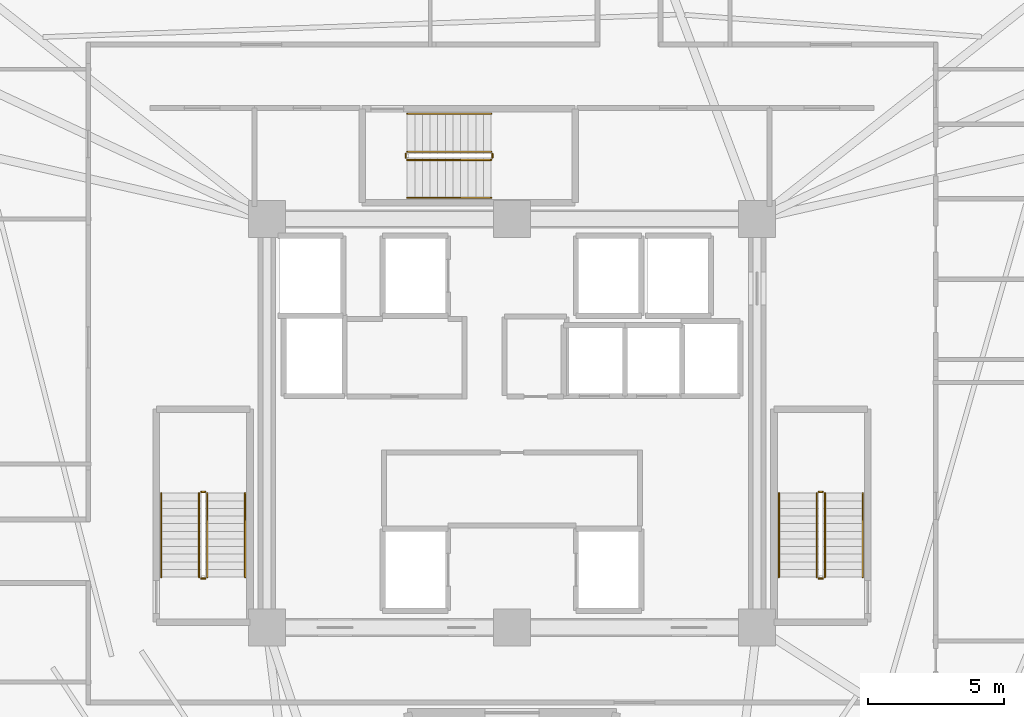
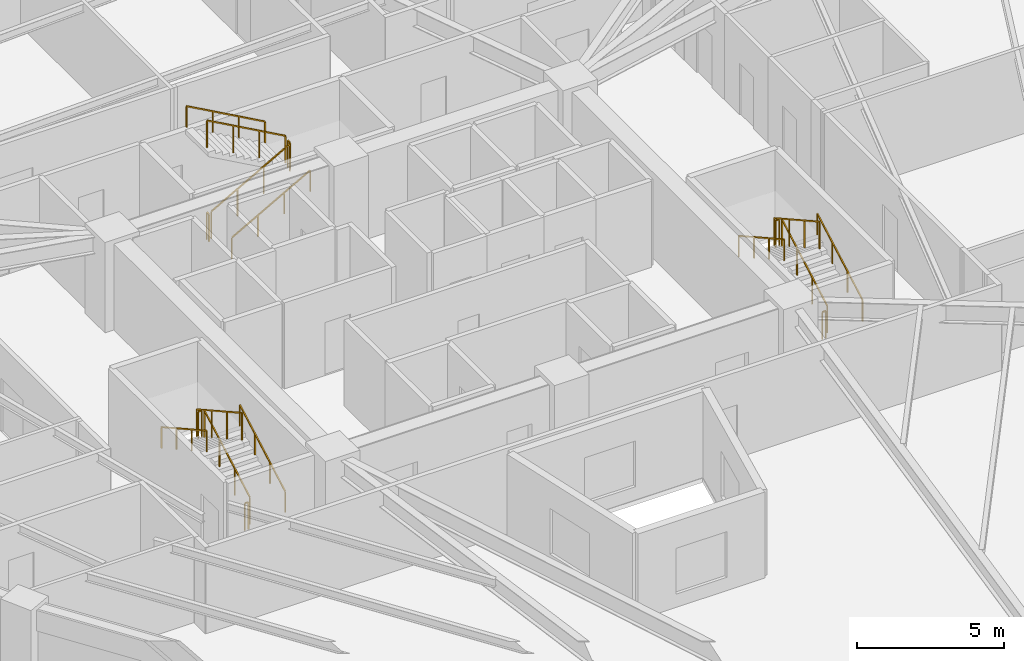
# One storey, part 8 of 8: 18 railings.
"""IFC4 building model written with IfcOpenShell, lengths in metres."""

from ifc_helpers import new_model, si_unit, direction, frame, origin, origin_2d, place, context, subcontext, project, spatial, rectangle, extrude, material, type_object, element, save


model = new_model("IFC4")

# Units and contexts
model_context = context("Model", 3, precision=1e-05, world=origin(), true_north=direction((0.0, 1.0)))
body_context = subcontext(model_context, "Body", "Model", "MODEL_VIEW")
ifc_project = project(units=[si_unit("LENGTHUNIT", "METRE"), si_unit("AREAUNIT", "SQUARE_METRE"), si_unit("VOLUMEUNIT", "CUBIC_METRE"), si_unit("PLANEANGLEUNIT", "RADIAN"), si_unit("MASSUNIT", "GRAM", prefix="KILO")], contexts=[model_context])

# Site, building, storey
site_placement = place(None, origin())
site = spatial("IfcSite", under=ifc_project, at=site_placement, CompositionType="ELEMENT")
building_placement = place(site_placement, origin())
building = spatial("IfcBuilding", under=site, at=building_placement, Name="Liaohun Quay Tower", CompositionType="ELEMENT")
storey_placement = place(building_placement, frame((0.0, 0.0, 201.75)))
storey = spatial("IfcBuildingStorey", under=building, at=storey_placement, Name="L52", CompositionType="ELEMENT", Elevation=201.75)

# Railings
ifc_material_1 = material(Name="Painted tubular steel", Category="steel")
railing_type_1 = type_object("IfcRailingType", Name="RLG-GUARD-STR", PredefinedType="GUARDRAIL", material=ifc_material_1)
railing_1_placement = place(storey_placement, frame((48.81005859375, 48.35009765625, 0.15625)))
element("IfcRailing", 1, at=railing_1_placement, inside=storey, type_object=railing_type_1, Name="L52 ST-1 stair guard 1", PredefinedType="GUARDRAIL", context=body_context, shape_type="SweptSolid", body=[
    extrude(rectangle(XDim=0.048095703125, YDim=0.048095703125, at=origin_2d()), frame((0.0, 0.0, 1.1259765625), z_axis=(0.0, 0.873225103656, 0.487317061414), x_axis=(-1.0, 0.0, 0.0)), (0.0, 0.0, 1.0), 3.52685546875),
    extrude(rectangle(XDim=0.0419921875, YDim=0.0419921875, at=origin_2d()), origin(), (0.0, 0.0, 1.0), 1.101806640625),
    extrude(rectangle(XDim=0.0419921875, YDim=0.0419921875, at=origin_2d()), frame((0.0, 1.026611328125, 0.572998046875)), (0.0, 0.0, 1.0), 1.101806640625),
    extrude(rectangle(XDim=0.0419921875, YDim=0.0419921875, at=origin_2d()), frame((0.0, 2.05322265625, 1.145751953125)), (0.0, 0.0, 1.0), 1.101806640625),
    extrude(rectangle(XDim=0.0419921875, YDim=0.0419921875, at=origin_2d()), frame((0.0, 3.079833984375, 1.71875)), (0.0, 0.0, 1.0), 1.101806640625),
])
railing_2_placement = place(storey_placement, frame((48.72998046875, 51.47998046875, 1.875)))
element("IfcRailing", 2, at=railing_2_placement, inside=storey, type_object=railing_type_1, Name="L52 ST-1 stair guard 2", PredefinedType="GUARDRAIL", context=body_context, shape_type="SweptSolid", body=[
    extrude(rectangle(XDim=0.048095703125, YDim=0.048095703125, at=origin_2d()), frame((0.0, 0.0, 1.1259765625), z_axis=(-1.0, 0.0, 0.0), x_axis=(0.0, -1.0, 0.0)), (0.0, 0.0, 1.0), 0.139892578125),
    extrude(rectangle(XDim=0.0419921875, YDim=0.0419921875, at=origin_2d()), origin(), (0.0, 0.0, 1.0), 1.101806640625),
    extrude(rectangle(XDim=0.0419921875, YDim=0.0419921875, at=origin_2d()), frame((-0.139892578125, 0.0, 0.0)), (0.0, 0.0, 1.0), 1.101806640625),
])
railing_3_placement = place(storey_placement, frame((48.510009765625, 51.429931640625, 2.03125)))
element("IfcRailing", 3, at=railing_3_placement, inside=storey, type_object=railing_type_1, Name="L52 ST-1 stair guard 3", PredefinedType="GUARDRAIL", context=body_context, shape_type="SweptSolid", body=[
    extrude(rectangle(XDim=0.048095703125, YDim=0.048095703125, at=origin_2d()), frame((0.0, 0.0, 1.1259765625), z_axis=(0.0, -0.873225103656, 0.487317061414), x_axis=(1.0, 0.0, 0.0)), (0.0, 0.0, 1.0), 3.52685546875),
    extrude(rectangle(XDim=0.0419921875, YDim=0.0419921875, at=origin_2d()), origin(), (0.0, 0.0, 1.0), 1.101806640625),
    extrude(rectangle(XDim=0.0419921875, YDim=0.0419921875, at=origin_2d()), frame((0.0, -1.026611328125, 0.572998046875)), (0.0, 0.0, 1.0), 1.101806640625),
    extrude(rectangle(XDim=0.0419921875, YDim=0.0419921875, at=origin_2d()), frame((0.0, -2.05322265625, 1.145751953125)), (0.0, 0.0, 1.0), 1.101806640625),
    extrude(rectangle(XDim=0.0419921875, YDim=0.0419921875, at=origin_2d()), frame((0.0, -3.079833984375, 1.71875)), (0.0, 0.0, 1.0), 1.101806640625),
])
railing_4_placement = place(storey_placement, frame((48.72998046875, 48.300048828125, 0.0)))
element("IfcRailing", 4, at=railing_4_placement, inside=storey, type_object=railing_type_1, Name="L52 ST-1 stair guard 4", PredefinedType="GUARDRAIL", context=body_context, shape_type="SweptSolid", body=[
    extrude(rectangle(XDim=0.048095703125, YDim=0.048095703125, at=origin_2d()), frame((0.0, 0.0, 1.1259765625), z_axis=(-1.0, 0.0, 0.0), x_axis=(0.0, -1.0, 0.0)), (0.0, 0.0, 1.0), 0.139892578125),
    extrude(rectangle(XDim=0.0419921875, YDim=0.0419921875, at=origin_2d()), origin(), (0.0, 0.0, 1.0), 1.101806640625),
    extrude(rectangle(XDim=0.0419921875, YDim=0.0419921875, at=origin_2d()), frame((-0.139892578125, 0.0, 0.0)), (0.0, 0.0, 1.0), 1.101806640625),
])
railing_5_placement = place(storey_placement, frame((71.489990234375, 48.35009765625, 0.15625)))
element("IfcRailing", 5, at=railing_5_placement, inside=storey, type_object=railing_type_1, Name="L52 ST-2 stair guard 1", PredefinedType="GUARDRAIL", context=body_context, shape_type="SweptSolid", body=[
    extrude(rectangle(XDim=0.048095703125, YDim=0.048095703125, at=origin_2d()), frame((0.0, 0.0, 1.1259765625), z_axis=(0.0, 0.873225103656, 0.487317061414), x_axis=(-1.0, 0.0, 0.0)), (0.0, 0.0, 1.0), 3.52685546875),
    extrude(rectangle(XDim=0.0419921875, YDim=0.0419921875, at=origin_2d()), origin(), (0.0, 0.0, 1.0), 1.101806640625),
    extrude(rectangle(XDim=0.0419921875, YDim=0.0419921875, at=origin_2d()), frame((0.0, 1.026611328125, 0.572998046875)), (0.0, 0.0, 1.0), 1.101806640625),
    extrude(rectangle(XDim=0.0419921875, YDim=0.0419921875, at=origin_2d()), frame((0.0, 2.05322265625, 1.145751953125)), (0.0, 0.0, 1.0), 1.101806640625),
    extrude(rectangle(XDim=0.0419921875, YDim=0.0419921875, at=origin_2d()), frame((0.0, 3.079833984375, 1.71875)), (0.0, 0.0, 1.0), 1.101806640625),
])
railing_6_placement = place(storey_placement, frame((71.409912109375, 51.47998046875, 1.875)))
element("IfcRailing", 6, at=railing_6_placement, inside=storey, type_object=railing_type_1, Name="L52 ST-2 stair guard 2", PredefinedType="GUARDRAIL", context=body_context, shape_type="SweptSolid", body=[
    extrude(rectangle(XDim=0.048095703125, YDim=0.048095703125, at=origin_2d()), frame((0.0, 0.0, 1.1259765625), z_axis=(-1.0, 0.0, 0.0), x_axis=(0.0, -1.0, 0.0)), (0.0, 0.0, 1.0), 0.139892578125),
    extrude(rectangle(XDim=0.0419921875, YDim=0.0419921875, at=origin_2d()), origin(), (0.0, 0.0, 1.0), 1.101806640625),
    extrude(rectangle(XDim=0.0419921875, YDim=0.0419921875, at=origin_2d()), frame((-0.139892578125, 0.0, 0.0)), (0.0, 0.0, 1.0), 1.101806640625),
])
railing_7_placement = place(storey_placement, frame((71.18994140625, 51.429931640625, 2.03125)))
element("IfcRailing", 7, at=railing_7_placement, inside=storey, type_object=railing_type_1, Name="L52 ST-2 stair guard 3", PredefinedType="GUARDRAIL", context=body_context, shape_type="SweptSolid", body=[
    extrude(rectangle(XDim=0.048095703125, YDim=0.048095703125, at=origin_2d()), frame((0.0, 0.0, 1.1259765625), z_axis=(0.0, -0.873225103656, 0.487317061414), x_axis=(1.0, 0.0, 0.0)), (0.0, 0.0, 1.0), 3.52685546875),
    extrude(rectangle(XDim=0.0419921875, YDim=0.0419921875, at=origin_2d()), origin(), (0.0, 0.0, 1.0), 1.101806640625),
    extrude(rectangle(XDim=0.0419921875, YDim=0.0419921875, at=origin_2d()), frame((0.0, -1.026611328125, 0.572998046875)), (0.0, 0.0, 1.0), 1.101806640625),
    extrude(rectangle(XDim=0.0419921875, YDim=0.0419921875, at=origin_2d()), frame((0.0, -2.05322265625, 1.145751953125)), (0.0, 0.0, 1.0), 1.101806640625),
    extrude(rectangle(XDim=0.0419921875, YDim=0.0419921875, at=origin_2d()), frame((0.0, -3.079833984375, 1.71875)), (0.0, 0.0, 1.0), 1.101806640625),
])
railing_8_placement = place(storey_placement, frame((71.409912109375, 48.300048828125, 0.0)))
element("IfcRailing", 8, at=railing_8_placement, inside=storey, type_object=railing_type_1, Name="L52 ST-2 stair guard 4", PredefinedType="GUARDRAIL", context=body_context, shape_type="SweptSolid", body=[
    extrude(rectangle(XDim=0.048095703125, YDim=0.048095703125, at=origin_2d()), frame((0.0, 0.0, 1.1259765625), z_axis=(-1.0, 0.0, 0.0), x_axis=(0.0, -1.0, 0.0)), (0.0, 0.0, 1.0), 0.139892578125),
    extrude(rectangle(XDim=0.0419921875, YDim=0.0419921875, at=origin_2d()), origin(), (0.0, 0.0, 1.0), 1.101806640625),
    extrude(rectangle(XDim=0.0419921875, YDim=0.0419921875, at=origin_2d()), frame((-0.139892578125, 0.0, 0.0)), (0.0, 0.0, 1.0), 1.101806640625),
])
railing_9_placement = place(storey_placement, frame((56.14990234375, 63.669921875, 0.15625)))
element("IfcRailing", 9, at=railing_9_placement, inside=storey, type_object=railing_type_1, Name="L52 ST-3 stair guard 1", PredefinedType="GUARDRAIL", context=body_context, shape_type="SweptSolid", body=[
    extrude(rectangle(XDim=0.048095703125, YDim=0.048095703125, at=origin_2d()), frame((0.0, 0.0, 1.1259765625), z_axis=(0.873241540666, 0.0, 0.487287606713), x_axis=(0.0, 1.0, 0.0)), (0.0, 0.0, 1.0), 3.527099609375),
    extrude(rectangle(XDim=0.0419921875, YDim=0.0419921875, at=origin_2d()), origin(), (0.0, 0.0, 1.0), 1.101806640625),
    extrude(rectangle(XDim=0.0419921875, YDim=0.0419921875, at=origin_2d()), frame((1.026611328125, 0.0, 0.572998046875)), (0.0, 0.0, 1.0), 1.101806640625),
    extrude(rectangle(XDim=0.0419921875, YDim=0.0419921875, at=origin_2d()), frame((2.053466796875, 0.0, 1.145751953125)), (0.0, 0.0, 1.0), 1.101806640625),
    extrude(rectangle(XDim=0.0419921875, YDim=0.0419921875, at=origin_2d()), frame((3.080078125, 0.0, 1.71875)), (0.0, 0.0, 1.0), 1.101806640625),
])
railing_10_placement = place(storey_placement, frame((59.280029296875, 63.75, 1.875)))
element("IfcRailing", 10, at=railing_10_placement, inside=storey, type_object=railing_type_1, Name="L52 ST-3 stair guard 2", PredefinedType="GUARDRAIL", context=body_context, shape_type="SweptSolid", body=[
    extrude(rectangle(XDim=0.048095703125, YDim=0.048095703125, at=origin_2d()), frame((0.0, 0.0, 1.1259765625), z_axis=(0.0, 1.0, 0.0), x_axis=(-1.0, 0.0, 0.0)), (0.0, 0.0, 1.0), 0.139892578125),
    extrude(rectangle(XDim=0.0419921875, YDim=0.0419921875, at=origin_2d()), origin(), (0.0, 0.0, 1.0), 1.101806640625),
    extrude(rectangle(XDim=0.0419921875, YDim=0.0419921875, at=origin_2d()), frame((0.0, 0.139892578125, 0.0)), (0.0, 0.0, 1.0), 1.101806640625),
])
railing_11_placement = place(storey_placement, frame((59.22998046875, 63.969970703125, 2.03125)))
element("IfcRailing", 11, at=railing_11_placement, inside=storey, type_object=railing_type_1, Name="L52 ST-3 stair guard 3", PredefinedType="GUARDRAIL", context=body_context, shape_type="SweptSolid", body=[
    extrude(rectangle(XDim=0.048095703125, YDim=0.048095703125, at=origin_2d()), frame((0.0, 0.0, 1.1259765625), z_axis=(-0.873241540666, 0.0, 0.487287606713), x_axis=(0.0, -1.0, 0.0)), (0.0, 0.0, 1.0), 3.527099609375),
    extrude(rectangle(XDim=0.0419921875, YDim=0.0419921875, at=origin_2d()), origin(), (0.0, 0.0, 1.0), 1.101806640625),
    extrude(rectangle(XDim=0.0419921875, YDim=0.0419921875, at=origin_2d()), frame((-1.026611328125, 0.0, 0.572998046875)), (0.0, 0.0, 1.0), 1.101806640625),
    extrude(rectangle(XDim=0.0419921875, YDim=0.0419921875, at=origin_2d()), frame((-2.053466796875, 0.0, 1.145751953125)), (0.0, 0.0, 1.0), 1.101806640625),
    extrude(rectangle(XDim=0.0419921875, YDim=0.0419921875, at=origin_2d()), frame((-3.080078125, 0.0, 1.71875)), (0.0, 0.0, 1.0), 1.101806640625),
])
railing_12_placement = place(storey_placement, frame((56.10009765625, 63.75, 0.0)))
element("IfcRailing", 12, at=railing_12_placement, inside=storey, type_object=railing_type_1, Name="L52 ST-3 stair guard 4", PredefinedType="GUARDRAIL", context=body_context, shape_type="SweptSolid", body=[
    extrude(rectangle(XDim=0.048095703125, YDim=0.048095703125, at=origin_2d()), frame((0.0, 0.0, 1.1259765625), z_axis=(0.0, 1.0, 0.0), x_axis=(-1.0, 0.0, 0.0)), (0.0, 0.0, 1.0), 0.139892578125),
    extrude(rectangle(XDim=0.0419921875, YDim=0.0419921875, at=origin_2d()), origin(), (0.0, 0.0, 1.0), 1.101806640625),
    extrude(rectangle(XDim=0.0419921875, YDim=0.0419921875, at=origin_2d()), frame((0.0, 0.139892578125, 0.0)), (0.0, 0.0, 1.0), 1.101806640625),
])
ifc_material_2 = material(Name="Brushed stainless steel", Category="steel")
railing_type_2 = type_object("IfcRailingType", Name="RLG-HND-STR", PredefinedType="HANDRAIL", material=ifc_material_2)
railing_13_placement = place(storey_placement, frame((50.199951171875, 48.35009765625, 0.15625)))
element("IfcRailing", 13, at=railing_13_placement, inside=storey, type_object=railing_type_2, Name="L52 ST-1 stair handrail 1", PredefinedType="HANDRAIL", context=body_context, shape_type="SweptSolid", body=[
    extrude(rectangle(XDim=0.048095703125, YDim=0.048095703125, at=origin_2d()), frame((0.0, 0.0, 0.8759765625), z_axis=(0.0, 0.873225103656, 0.487317061414), x_axis=(-1.0, 0.0, 0.0)), (0.0, 0.0, 1.0), 3.52685546875),
    extrude(rectangle(XDim=0.0419921875, YDim=0.0419921875, at=origin_2d()), origin(), (0.0, 0.0, 1.0), 0.851806640625),
    extrude(rectangle(XDim=0.0419921875, YDim=0.0419921875, at=origin_2d()), frame((0.0, 1.026611328125, 0.572998046875)), (0.0, 0.0, 1.0), 0.851806640625),
    extrude(rectangle(XDim=0.0419921875, YDim=0.0419921875, at=origin_2d()), frame((0.0, 2.05322265625, 1.145751953125)), (0.0, 0.0, 1.0), 0.851806640625),
    extrude(rectangle(XDim=0.0419921875, YDim=0.0419921875, at=origin_2d()), frame((0.0, 3.079833984375, 1.71875)), (0.0, 0.0, 1.0), 0.851806640625),
])
railing_14_placement = place(storey_placement, frame((47.1201171875, 51.429931640625, 2.03125)))
element("IfcRailing", 14, at=railing_14_placement, inside=storey, type_object=railing_type_2, Name="L52 ST-1 stair handrail 2", PredefinedType="HANDRAIL", context=body_context, shape_type="SweptSolid", body=[
    extrude(rectangle(XDim=0.048095703125, YDim=0.048095703125, at=origin_2d()), frame((0.0, 0.0, 0.8759765625), z_axis=(0.0, -0.873225103656, 0.487317061414), x_axis=(1.0, 0.0, 0.0)), (0.0, 0.0, 1.0), 3.52685546875),
    extrude(rectangle(XDim=0.0419921875, YDim=0.0419921875, at=origin_2d()), origin(), (0.0, 0.0, 1.0), 0.851806640625),
    extrude(rectangle(XDim=0.0419921875, YDim=0.0419921875, at=origin_2d()), frame((0.0, -1.026611328125, 0.572998046875)), (0.0, 0.0, 1.0), 0.851806640625),
    extrude(rectangle(XDim=0.0419921875, YDim=0.0419921875, at=origin_2d()), frame((0.0, -2.05322265625, 1.145751953125)), (0.0, 0.0, 1.0), 0.851806640625),
    extrude(rectangle(XDim=0.0419921875, YDim=0.0419921875, at=origin_2d()), frame((0.0, -3.079833984375, 1.71875)), (0.0, 0.0, 1.0), 0.851806640625),
])
railing_15_placement = place(storey_placement, frame((72.8798828125, 48.35009765625, 0.15625)))
element("IfcRailing", 15, at=railing_15_placement, inside=storey, type_object=railing_type_2, Name="L52 ST-2 stair handrail 1", PredefinedType="HANDRAIL", context=body_context, shape_type="SweptSolid", body=[
    extrude(rectangle(XDim=0.048095703125, YDim=0.048095703125, at=origin_2d()), frame((0.0, 0.0, 0.8759765625), z_axis=(0.0, 0.873225103656, 0.487317061414), x_axis=(-1.0, 0.0, 0.0)), (0.0, 0.0, 1.0), 3.52685546875),
    extrude(rectangle(XDim=0.0419921875, YDim=0.0419921875, at=origin_2d()), origin(), (0.0, 0.0, 1.0), 0.851806640625),
    extrude(rectangle(XDim=0.0419921875, YDim=0.0419921875, at=origin_2d()), frame((0.0, 1.026611328125, 0.572998046875)), (0.0, 0.0, 1.0), 0.851806640625),
    extrude(rectangle(XDim=0.0419921875, YDim=0.0419921875, at=origin_2d()), frame((0.0, 2.05322265625, 1.145751953125)), (0.0, 0.0, 1.0), 0.851806640625),
    extrude(rectangle(XDim=0.0419921875, YDim=0.0419921875, at=origin_2d()), frame((0.0, 3.079833984375, 1.71875)), (0.0, 0.0, 1.0), 0.851806640625),
])
railing_16_placement = place(storey_placement, frame((69.800048828125, 51.429931640625, 2.03125)))
element("IfcRailing", 16, at=railing_16_placement, inside=storey, type_object=railing_type_2, Name="L52 ST-2 stair handrail 2", PredefinedType="HANDRAIL", context=body_context, shape_type="SweptSolid", body=[
    extrude(rectangle(XDim=0.048095703125, YDim=0.048095703125, at=origin_2d()), frame((0.0, 0.0, 0.8759765625), z_axis=(0.0, -0.873225103656, 0.487317061414), x_axis=(1.0, 0.0, 0.0)), (0.0, 0.0, 1.0), 3.52685546875),
    extrude(rectangle(XDim=0.0419921875, YDim=0.0419921875, at=origin_2d()), origin(), (0.0, 0.0, 1.0), 0.851806640625),
    extrude(rectangle(XDim=0.0419921875, YDim=0.0419921875, at=origin_2d()), frame((0.0, -1.026611328125, 0.572998046875)), (0.0, 0.0, 1.0), 0.851806640625),
    extrude(rectangle(XDim=0.0419921875, YDim=0.0419921875, at=origin_2d()), frame((0.0, -2.05322265625, 1.145751953125)), (0.0, 0.0, 1.0), 0.851806640625),
    extrude(rectangle(XDim=0.0419921875, YDim=0.0419921875, at=origin_2d()), frame((0.0, -3.079833984375, 1.71875)), (0.0, 0.0, 1.0), 0.851806640625),
])
railing_17_placement = place(storey_placement, frame((56.14990234375, 62.280029296875, 0.15625)))
element("IfcRailing", 17, at=railing_17_placement, inside=storey, type_object=railing_type_2, Name="L52 ST-3 stair handrail 1", PredefinedType="HANDRAIL", context=body_context, shape_type="SweptSolid", body=[
    extrude(rectangle(XDim=0.048095703125, YDim=0.048095703125, at=origin_2d()), frame((0.0, 0.0, 0.8759765625), z_axis=(0.873241540666, 0.0, 0.487287606713), x_axis=(0.0, 1.0, 0.0)), (0.0, 0.0, 1.0), 3.527099609375),
    extrude(rectangle(XDim=0.0419921875, YDim=0.0419921875, at=origin_2d()), origin(), (0.0, 0.0, 1.0), 0.851806640625),
    extrude(rectangle(XDim=0.0419921875, YDim=0.0419921875, at=origin_2d()), frame((1.026611328125, 0.0, 0.572998046875)), (0.0, 0.0, 1.0), 0.851806640625),
    extrude(rectangle(XDim=0.0419921875, YDim=0.0419921875, at=origin_2d()), frame((2.053466796875, 0.0, 1.145751953125)), (0.0, 0.0, 1.0), 0.851806640625),
    extrude(rectangle(XDim=0.0419921875, YDim=0.0419921875, at=origin_2d()), frame((3.080078125, 0.0, 1.71875)), (0.0, 0.0, 1.0), 0.851806640625),
])
railing_18_placement = place(storey_placement, frame((59.22998046875, 65.360107421875, 2.03125)))
element("IfcRailing", 18, at=railing_18_placement, inside=storey, type_object=railing_type_2, Name="L52 ST-3 stair handrail 2", PredefinedType="HANDRAIL", context=body_context, shape_type="SweptSolid", body=[
    extrude(rectangle(XDim=0.048095703125, YDim=0.048095703125, at=origin_2d()), frame((0.0, 0.0, 0.8759765625), z_axis=(-0.873241540666, 0.0, 0.487287606713), x_axis=(0.0, -1.0, 0.0)), (0.0, 0.0, 1.0), 3.527099609375),
    extrude(rectangle(XDim=0.0419921875, YDim=0.0419921875, at=origin_2d()), origin(), (0.0, 0.0, 1.0), 0.851806640625),
    extrude(rectangle(XDim=0.0419921875, YDim=0.0419921875, at=origin_2d()), frame((-1.026611328125, 0.0, 0.572998046875)), (0.0, 0.0, 1.0), 0.851806640625),
    extrude(rectangle(XDim=0.0419921875, YDim=0.0419921875, at=origin_2d()), frame((-2.053466796875, 0.0, 1.145751953125)), (0.0, 0.0, 1.0), 0.851806640625),
    extrude(rectangle(XDim=0.0419921875, YDim=0.0419921875, at=origin_2d()), frame((-3.080078125, 0.0, 1.71875)), (0.0, 0.0, 1.0), 0.851806640625),
])

save(model, "model.ifc")
